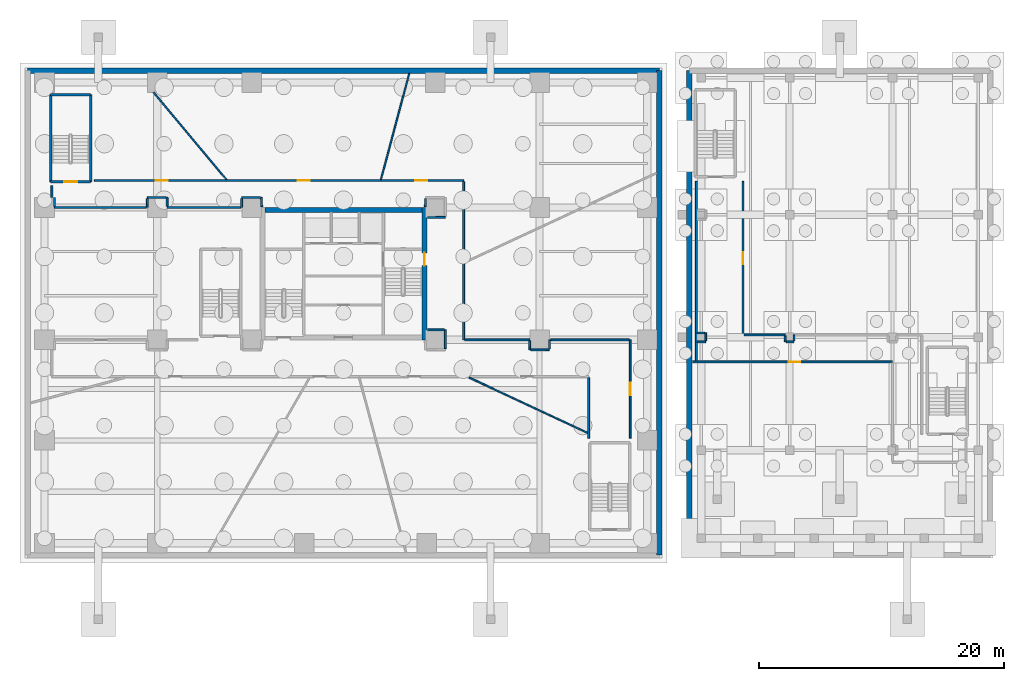
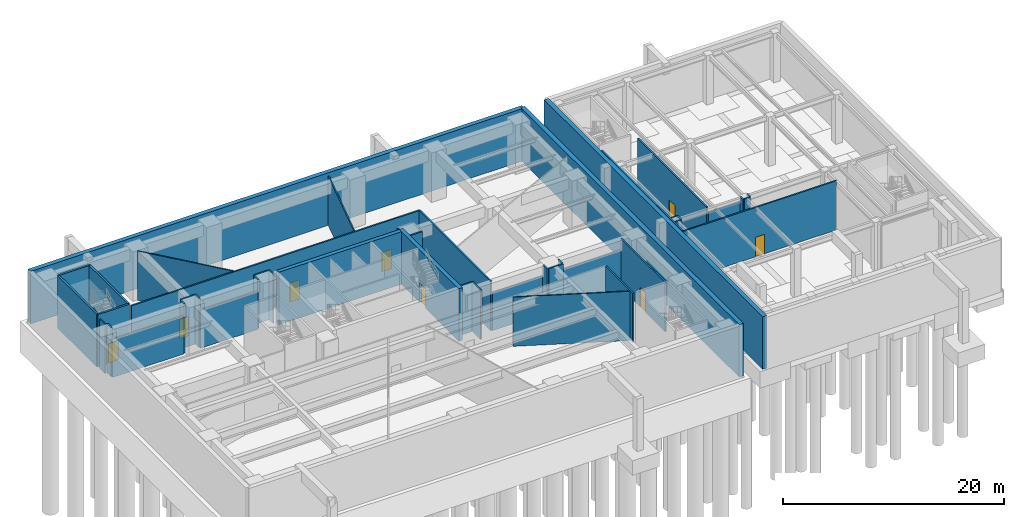
# One storey, part 6 of 15: 45 walls, 8 doors, 8 openings.
"""IFC4 building model written with IfcOpenShell, lengths in metres."""

from ifc_helpers import new_model, si_unit, direction, frame, frame_2d, origin, place, context, subcontext, project, spatial, rectangle, extrude, source, transform, mapped, material, layer, layer_set, type_object, type_shapes, element, fill, save


model = new_model("IFC4")

# Units and contexts
model_context = context("Model", 3, precision=1e-05, world=origin(), true_north=direction((0.0, 1.0)))
body_context = subcontext(model_context, "Body", "Model", "MODEL_VIEW")
ifc_project = project(units=[si_unit("LENGTHUNIT", "METRE"), si_unit("AREAUNIT", "SQUARE_METRE"), si_unit("VOLUMEUNIT", "CUBIC_METRE"), si_unit("PLANEANGLEUNIT", "RADIAN"), si_unit("MASSUNIT", "GRAM", prefix="KILO")], contexts=[model_context])

# Site, building, storey
site_placement = place(None, origin())
site = spatial("IfcSite", under=ifc_project, at=site_placement, CompositionType="ELEMENT")
building_placement = place(site_placement, origin())
building = spatial("IfcBuilding", under=site, at=building_placement, Name="Talar Marvaseh", CompositionType="ELEMENT")
storey_placement = place(building_placement, frame((0.0, 0.0, -11.60009765625)))
storey = spatial("IfcBuildingStorey", under=building, at=storey_placement, Name="B02", CompositionType="ELEMENT", Elevation=-11.60009765625)

# Walls
ifc_material_1 = material(Name="Concrete C50/60", Category="concrete")
ifc_layer_1 = layer(ifc_material_1, 0.449951171875)
ifc_layer_set_1 = layer_set([ifc_layer_1], Name="Concrete C50/60")
wall_type_1 = type_object("IfcWallType", Name="Basement Perimeter Waterproof Retaining Wall 450", PredefinedType="SHEAR", material=ifc_layer_set_1)
wall_1_placement = place(storey_placement, frame((0.22509765625, 47.77490234375, 0.0), z_axis=(0.0, 0.0, 1.0), x_axis=(1.0, 0.0, 0.0)))
element("IfcWall", 1, at=wall_1_placement, inside=storey, type_object=wall_type_1, Name="B02 Basement Retaining Wall", PredefinedType="SHEAR", context=body_context, shape_type="SweptSolid", body=[
    extrude(rectangle(XDim=51.5498046875, YDim=0.449951171875, at=frame_2d((25.77490234375, 0.0))), origin(), (0.0, 0.0, 1.0), 5.800048828125),
])
for number, where, z_axis, x_axis, name in (
    (2, (51.77490234375, 47.77490234375, 0.0), (0.0, 0.0, 1.0), (0.0, -1.0, 0.0), "B02 Basement Retaining Wall"),
    (3, (54.22509765625, 8.22509765625, 0.0), (0.0, 0.0, 1.0), (0.0, 1.0, 0.0), "B02 Basement Retaining Wall"),
):
    element("IfcWall", number, at=place(storey_placement, frame(where, z_axis=z_axis, x_axis=x_axis)), inside=storey, type_object=wall_type_1, Name=name, PredefinedType="SHEAR", context=body_context, shape_type="SweptSolid", body=[
        extrude(rectangle(XDim=39.5498046875, YDim=0.449951171875, at=frame_2d((19.77490234375, 0.0))), origin(), (0.0, 0.0, 1.0), 5.800048828125),
    ])

# Wall, openings, doors
ifc_material_2 = material(Name="Gypsum Board Partition Assembly")
ifc_layer_2 = layer(ifc_material_2, 0.155029296875)
ifc_layer_set_2 = layer_set([ifc_layer_2], Name="Gypsum Board Partition Assembly")
wall_type_2 = type_object("IfcWallType", Name="Corridor Fire-Rated Acoustic Partition 155", PredefinedType="PARTITIONING", material=ifc_layer_set_2)
wall_2_placement = place(storey_placement, frame((5.669921875, 38.800048828125, 0.0), z_axis=(0.0, 0.0, 1.0), x_axis=(1.0, 0.0, 0.0)))
wall_2 = element("IfcWall", 4, at=wall_2_placement, inside=storey, type_object=wall_type_2, Name="B02 Interior Partition Wall", PredefinedType="PARTITIONING", context=body_context, shape_type="SweptSolid", body=[
    extrude(rectangle(XDim=30.130126953125, YDim=0.155029296875, at=frame_2d((15.06494140625, 0.0))), origin(), (0.0, 0.0, 1.0), 5.440185546875),
])
opening_1_placement = place(wall_2_placement, frame((26.174072265625, 0.0, 0.0)))
opening_1 = element("IfcOpeningElement", 5, at=opening_1_placement, cuts=wall_2, Name="Opening DR-RM100", PredefinedType="OPENING", context=body_context, shape_type="SweptSolid", body=[
    extrude(rectangle(XDim=1.0, YDim=2.14990234375, at=frame_2d((0.5, 1.074951171875))), frame((0.0, 0.08740234375, 0.0), z_axis=(0.0, -1.0, 0.0), x_axis=(1.0, 0.0, 0.0)), (0.0, 0.0, 1.0), 0.175048828125),
])
opening_2_placement = place(wall_2_placement, frame((16.583984375, 0.0, 0.0)))
opening_2 = element("IfcOpeningElement", 6, at=opening_2_placement, cuts=wall_2, Name="Opening DR-RM100", PredefinedType="OPENING", context=body_context, shape_type="SweptSolid", body=[
    extrude(rectangle(XDim=1.0, YDim=2.14990234375, at=frame_2d((0.5, 1.074951171875))), frame((0.0, 0.08740234375, 0.0), z_axis=(0.0, -1.0, 0.0), x_axis=(1.0, 0.0, 0.0)), (0.0, 0.0, 1.0), 0.175048828125),
])
opening_3_placement = place(wall_2_placement, frame((5.01904296875, 0.0, 0.0)))
opening_3 = element("IfcOpeningElement", 7, at=opening_3_placement, cuts=wall_2, Name="Opening DR-WC095", PredefinedType="OPENING", context=body_context, shape_type="SweptSolid", body=[
    extrude(rectangle(XDim=0.949951171875, YDim=2.14990234375, at=frame_2d((0.47509765625, 1.074951171875))), frame((0.0, 0.08740234375, 0.0), z_axis=(0.0, -1.0, 0.0), x_axis=(1.0, 0.0, 0.0)), (0.0, 0.0, 1.0), 0.175048828125),
])
ifc_material_3 = material(Name="Acoustic Engineered Oak Timber", Category="wood")
door_type_1 = type_object("IfcDoorType", Name="Washroom and Service Room Door 950x2150", OperationType="NOTDEFINED", PredefinedType="DOOR", material=ifc_material_3)
shared_shape_1 = source(origin(), body_context, "Body", "SweptSolid", [
    extrude(rectangle(XDim=0.949951171875, YDim=2.14990234375, at=frame_2d((0.47509765625, 1.074951171875))), frame((0.0, 0.02490234375, 0.0), z_axis=(0.0, -1.0, 0.0), x_axis=(1.0, 0.0, 0.0)), (0.0, 0.0, 1.0), 0.050048828125),
])
type_shapes(door_type_1, [shared_shape_1])
door_1_placement = place(opening_3_placement, origin())
door_1 = element("IfcDoor", 8, at=door_1_placement, inside=storey, type_object=door_type_1, Name="B02 Accessible WC Block Door", OperationType="SINGLE_SWING_RIGHT", OverallHeight=2.14990234375, OverallWidth=0.949951171875, PredefinedType="DOOR", context=body_context, shape_type="MappedRepresentation", body=[
    mapped(shared_shape_1, transform((0.0, 0.0, 0.0), x_axis=(1.0, 0.0, 0.0), y_axis=(0.0, 1.0, 0.0), z_axis=(0.0, 0.0, 1.0), scale=1.0)),
])
fill(opening_3, door_1)
door_type_2 = type_object("IfcDoorType", Name="Corridor Fire-Rated Gallery Door 1000x2150", OperationType="NOTDEFINED", PredefinedType="DOOR", material=ifc_material_3)
shared_shape_2 = source(origin(), body_context, "Body", "SweptSolid", [
    extrude(rectangle(XDim=1.0, YDim=2.14990234375, at=frame_2d((0.5, 1.074951171875))), frame((0.0, 0.02490234375, 0.0), z_axis=(0.0, -1.0, 0.0), x_axis=(1.0, 0.0, 0.0)), (0.0, 0.0, 1.0), 0.050048828125),
])
type_shapes(door_type_2, [shared_shape_2])
door_2_placement = place(opening_1_placement, origin())
door_2 = element("IfcDoor", 9, at=door_2_placement, inside=storey, type_object=door_type_2, Name="B02 Domestic and Fire Water Tank Room Door", OperationType="SINGLE_SWING_RIGHT", OverallHeight=2.14990234375, OverallWidth=1.0, PredefinedType="DOOR", context=body_context, shape_type="MappedRepresentation", body=[
    mapped(shared_shape_2, transform((0.0, 0.0, 0.0), x_axis=(1.0, 0.0, 0.0), y_axis=(0.0, 1.0, 0.0), z_axis=(0.0, 0.0, 1.0), scale=1.0)),
])
fill(opening_1, door_2)
door_3_placement = place(opening_2_placement, origin())
door_3 = element("IfcDoor", 10, at=door_3_placement, inside=storey, type_object=door_type_2, Name="B02 Station Operations Office Door", OperationType="SINGLE_SWING_LEFT", OverallHeight=2.14990234375, OverallWidth=1.0, PredefinedType="DOOR", context=body_context, shape_type="MappedRepresentation", body=[
    mapped(shared_shape_2, transform((0.0, 0.0, 0.0), x_axis=(1.0, 0.0, 0.0), y_axis=(0.0, 1.0, 0.0), z_axis=(0.0, 0.0, 1.0), scale=1.0)),
])
fill(opening_2, door_3)

# Wall, opening, door
wall_3_placement = place(storey_placement, frame((49.39990234375, 25.800048828125, 0.0), z_axis=(0.0, 0.0, 1.0), x_axis=(0.0, -1.0, 0.0)))
wall_3 = element("IfcWall", 11, at=wall_3_placement, inside=storey, type_object=wall_type_2, Name="B02 Interior Partition Wall", PredefinedType="PARTITIONING", context=body_context, shape_type="SweptSolid", body=[
    extrude(rectangle(XDim=8.030029296875, YDim=0.155029296875, at=frame_2d((4.01513671875, 0.0))), origin(), (0.0, 0.0, 1.0), 5.440185546875),
])
opening_4_placement = place(wall_3_placement, frame((3.514892578125, 0.0, 0.0)))
opening_4 = element("IfcOpeningElement", 12, at=opening_4_placement, cuts=wall_3, Name="Opening DR-RM100", PredefinedType="OPENING", context=body_context, shape_type="SweptSolid", body=[
    extrude(rectangle(XDim=1.0, YDim=2.14990234375, at=frame_2d((0.5, 1.074951171875))), frame((0.0, 0.08740234375, 0.0), z_axis=(0.0, -1.0, 0.0), x_axis=(1.0, 0.0, 0.0)), (0.0, 0.0, 1.0), 0.175048828125),
])
door_4_placement = place(opening_4_placement, origin())
door_4 = element("IfcDoor", 13, at=door_4_placement, inside=storey, type_object=door_type_2, Name="B02 District Cooling Heat Exchanger Plant Door", OperationType="SINGLE_SWING_LEFT", OverallHeight=2.14990234375, OverallWidth=1.0, PredefinedType="DOOR", context=body_context, shape_type="MappedRepresentation", body=[
    mapped(shared_shape_2, transform((0.0, 0.0, 0.0), x_axis=(1.0, 0.0, 0.0), y_axis=(0.0, 1.0, 0.0), z_axis=(0.0, 0.0, 1.0), scale=1.0)),
])
fill(opening_4, door_4)

wall_4_placement = place(storey_placement, frame((70.800048828125, 24.0, 0.0), z_axis=(0.0, 0.0, 1.0), x_axis=(-1.0, 0.0, 0.0)))
wall_4 = element("IfcWall", 14, at=wall_4_placement, inside=storey, type_object=wall_type_2, Name="B02 Interior Partition Wall", PredefinedType="PARTITIONING", context=body_context, shape_type="SweptSolid", body=[
    extrude(rectangle(XDim=16.31494140625, YDim=0.155029296875, at=frame_2d((8.157470703125, 0.0))), origin(), (0.0, 0.0, 1.0), 5.440185546875),
])
opening_5_placement = place(wall_4_placement, frame((7.52490234375, 0.0, 0.0)))
opening_5 = element("IfcOpeningElement", 15, at=opening_5_placement, cuts=wall_4, Name="Opening DR-WC095", PredefinedType="OPENING", context=body_context, shape_type="SweptSolid", body=[
    extrude(rectangle(XDim=0.949951171875, YDim=2.14990234375, at=frame_2d((0.47509765625, 1.074951171875))), frame((0.0, 0.08740234375, 0.0), z_axis=(0.0, -1.0, 0.0), x_axis=(1.0, 0.0, 0.0)), (0.0, 0.0, 1.0), 0.175048828125),
])
door_5_placement = place(opening_5_placement, origin())
door_5 = element("IfcDoor", 16, at=door_5_placement, inside=storey, type_object=door_type_1, Name="B02 WC Public Washrooms Door", OperationType="SINGLE_SWING_LEFT", OverallHeight=2.14990234375, OverallWidth=0.949951171875, PredefinedType="DOOR", context=body_context, shape_type="MappedRepresentation", body=[
    mapped(shared_shape_1, transform((0.0, 0.0, 0.0), x_axis=(1.0, 0.0, 0.0), y_axis=(0.0, 1.0, 0.0), z_axis=(0.0, 0.0, 1.0), scale=1.0)),
])
fill(opening_5, door_5)

wall_5_placement = place(storey_placement, frame((58.60009765625, 38.72998046875, 0.0), z_axis=(0.0, 0.0, 1.0), x_axis=(0.0, -1.0, 0.0)))
wall_5 = element("IfcWall", 17, at=wall_5_placement, inside=storey, type_object=wall_type_2, Name="B02 Interior Partition Wall", PredefinedType="PARTITIONING", context=body_context, shape_type="SweptSolid", body=[
    extrude(rectangle(XDim=12.530029296875, YDim=0.155029296875, at=frame_2d((6.26513671875, 0.0))), origin(), (0.0, 0.0, 1.0), 5.440185546875),
])
opening_6_placement = place(wall_5_placement, frame((5.764892578125, 0.0, 0.0)))
opening_6 = element("IfcOpeningElement", 18, at=opening_6_placement, cuts=wall_5, Name="Opening DR-RM100", PredefinedType="OPENING", context=body_context, shape_type="SweptSolid", body=[
    extrude(rectangle(XDim=1.0, YDim=2.14990234375, at=frame_2d((0.5, 1.074951171875))), frame((0.0, 0.08740234375, 0.0), z_axis=(0.0, -1.0, 0.0), x_axis=(1.0, 0.0, 0.0)), (0.0, 0.0, 1.0), 0.175048828125),
])
door_6_placement = place(opening_6_placement, origin())
door_6 = element("IfcDoor", 19, at=door_6_placement, inside=storey, type_object=door_type_2, Name="B02 Market Substructure Cold Storage Plant Door", OperationType="SINGLE_SWING_RIGHT", OverallHeight=2.14990234375, OverallWidth=1.0, PredefinedType="DOOR", context=body_context, shape_type="MappedRepresentation", body=[
    mapped(shared_shape_2, transform((0.0, 0.0, 0.0), x_axis=(1.0, 0.0, 0.0), y_axis=(0.0, 1.0, 0.0), z_axis=(0.0, 0.0, 1.0), scale=1.0)),
])
fill(opening_6, door_6)

# Walls
wall_6_placement = place(storey_placement, frame((34.314697265625, 25.08349609375, 0.0), z_axis=(0.0, 0.0, 1.0), x_axis=(-0.002717815702, 0.999996306732, 0.0)))
element("IfcWall", 20, at=wall_6_placement, inside=storey, type_object=wall_type_2, Name="B02 Interior Partition Wall", PredefinedType="PARTITIONING", context=body_context, shape_type="SweptSolid", body=[
    extrude(rectangle(XDim=1.527099609375, YDim=0.155029296875, at=frame_2d((0.763671875, 0.0))), origin(), (0.0, 0.0, 1.0), 5.440185546875),
])
wall_7_placement = place(storey_placement, frame((34.22705078125, 26.61083984375, 0.0), z_axis=(0.0, 0.0, 1.0), x_axis=(-0.999995856473, 0.002878721429, 0.0)))
element("IfcWall", 21, at=wall_7_placement, inside=storey, type_object=wall_type_2, Name="B02 Interior Partition Wall", PredefinedType="PARTITIONING", context=body_context, shape_type="SweptSolid", body=[
    extrude(rectangle(XDim=1.35693359375, YDim=0.155029296875, at=frame_2d((0.678466796875, 0.0))), origin(), (0.0, 0.0, 1.0), 5.440185546875),
])
wall_8_placement = place(storey_placement, frame((32.8701171875, 35.78515625, 0.0), z_axis=(0.0, 0.0, 1.0), x_axis=(0.99999584892, 0.002881343971, 0.0)))
element("IfcWall", 22, at=wall_8_placement, inside=storey, type_object=wall_type_2, Name="B02 Interior Partition Wall", PredefinedType="PARTITIONING", context=body_context, shape_type="SweptSolid", body=[
    extrude(rectangle(XDim=1.4404296875, YDim=0.155029296875, at=frame_2d((0.72021484375, 0.0))), origin(), (0.0, 0.0, 1.0), 5.440185546875),
])
wall_9_placement = place(storey_placement, frame((32.69189453125, 37.32958984375, 0.0), z_axis=(0.0, 0.0, 1.0), x_axis=(-0.010362137944, -0.999946311607, 0.0)))
element("IfcWall", 23, at=wall_9_placement, inside=storey, type_object=wall_type_2, Name="B02 Interior Partition Wall", PredefinedType="PARTITIONING", context=body_context, shape_type="SweptSolid", body=[
    extrude(rectangle(XDim=0.65966796875, YDim=0.155029296875, at=frame_2d((0.329833984375, 0.0))), origin(), (0.0, 0.0, 1.0), 5.440185546875),
])
wall_10_placement = place(storey_placement, frame((19.31494140625, 36.669921875, 0.0), z_axis=(0.0, 0.0, 1.0), x_axis=(-0.019982902894, 0.99980032186, 0.0)))
element("IfcWall", 24, at=wall_10_placement, inside=storey, type_object=wall_type_2, Name="B02 Interior Partition Wall", PredefinedType="PARTITIONING", context=body_context, shape_type="SweptSolid", body=[
    extrude(rectangle(XDim=0.745361328125, YDim=0.155029296875, at=frame_2d((0.37255859375, 0.0))), origin(), (0.0, 0.0, 1.0), 5.440185546875),
])
wall_11_placement = place(storey_placement, frame((19.216552734375, 37.414794921875, 0.0), z_axis=(0.0, 0.0, 1.0), x_axis=(-0.99999937099, -0.00112161442, 0.0)))
element("IfcWall", 25, at=wall_11_placement, inside=storey, type_object=wall_type_2, Name="B02 Interior Partition Wall", PredefinedType="PARTITIONING", context=body_context, shape_type="SweptSolid", body=[
    extrude(rectangle(XDim=1.523681640625, YDim=0.155029296875, at=frame_2d((0.76171875, 0.0))), origin(), (0.0, 0.0, 1.0), 5.440185546875),
])
wall_12_placement = place(storey_placement, frame((17.692138671875, 37.32958984375, 0.0), z_axis=(0.0, 0.0, 1.0), x_axis=(-0.009705031542, -0.999952905072, 0.0)))
element("IfcWall", 26, at=wall_12_placement, inside=storey, type_object=wall_type_2, Name="B02 Interior Partition Wall", PredefinedType="PARTITIONING", context=body_context, shape_type="SweptSolid", body=[
    extrude(rectangle(XDim=0.7294921875, YDim=0.155029296875, at=frame_2d((0.36474609375, 0.0))), origin(), (0.0, 0.0, 1.0), 5.440185546875),
])
wall_13_placement = place(storey_placement, frame((17.6015625, 36.60009765625, 0.0), z_axis=(0.0, 0.0, 1.0), x_axis=(-1.0, 0.0, 0.0)))
element("IfcWall", 27, at=wall_13_placement, inside=storey, type_object=wall_type_2, Name="B02 Interior Partition Wall", PredefinedType="PARTITIONING", context=body_context, shape_type="SweptSolid", body=[
    extrude(rectangle(XDim=5.986572265625, YDim=0.155029296875, at=frame_2d((2.9931640625, 0.0))), origin(), (0.0, 0.0, 1.0), 4.215087890625),
])
wall_14_placement = place(storey_placement, frame((11.613525390625, 36.68359375, 0.0), z_axis=(0.0, 0.0, 1.0), x_axis=(-0.01835471782, 0.999831537977, 0.0)))
element("IfcWall", 28, at=wall_14_placement, inside=storey, type_object=wall_type_2, Name="B02 Interior Partition Wall", PredefinedType="PARTITIONING", context=body_context, shape_type="SweptSolid", body=[
    extrude(rectangle(XDim=0.731689453125, YDim=0.155029296875, at=frame_2d((0.36572265625, 0.0))), origin(), (0.0, 0.0, 1.0), 5.440185546875),
])
wall_15_placement = place(storey_placement, frame((11.5166015625, 37.414794921875, 0.0), z_axis=(0.0, 0.0, 1.0), x_axis=(-0.99999937099, -0.00112161442, 0.0)))
element("IfcWall", 29, at=wall_15_placement, inside=storey, type_object=wall_type_2, Name="B02 Interior Partition Wall", PredefinedType="PARTITIONING", context=body_context, shape_type="SweptSolid", body=[
    extrude(rectangle(XDim=1.523681640625, YDim=0.155029296875, at=frame_2d((0.76171875, 0.0))), origin(), (0.0, 0.0, 1.0), 5.440185546875),
])
wall_16_placement = place(storey_placement, frame((9.9921875, 37.32958984375, 0.0), z_axis=(0.0, 0.0, 1.0), x_axis=(-0.009705031542, -0.999952905072, 0.0)))
element("IfcWall", 30, at=wall_16_placement, inside=storey, type_object=wall_type_2, Name="B02 Interior Partition Wall", PredefinedType="PARTITIONING", context=body_context, shape_type="SweptSolid", body=[
    extrude(rectangle(XDim=0.7294921875, YDim=0.155029296875, at=frame_2d((0.36474609375, 0.0))), origin(), (0.0, 0.0, 1.0), 5.440185546875),
])
wall_17_placement = place(storey_placement, frame((9.901611328125, 36.60009765625, 0.0), z_axis=(0.0, 0.0, 1.0), x_axis=(-1.0, 0.0, 0.0)))
element("IfcWall", 31, at=wall_17_placement, inside=storey, type_object=wall_type_2, Name="B02 Interior Partition Wall", PredefinedType="PARTITIONING", context=body_context, shape_type="SweptSolid", body=[
    extrude(rectangle(XDim=7.486572265625, YDim=0.155029296875, at=frame_2d((3.7431640625, 0.0))), origin(), (0.0, 0.0, 1.0), 4.215087890625),
])
wall_18_placement = place(storey_placement, frame((2.414794921875, 36.68359375, 0.0), z_axis=(0.0, 0.0, 1.0), x_axis=(-0.00067750662, 0.999999770492, 0.0)))
element("IfcWall", 32, at=wall_18_placement, inside=storey, type_object=wall_type_2, Name="B02 Interior Partition Wall", PredefinedType="PARTITIONING", context=body_context, shape_type="SweptSolid", body=[
    extrude(rectangle(XDim=0.720703125, YDim=0.155029296875, at=frame_2d((0.3603515625, 0.0))), origin(), (0.0, 0.0, 1.0), 5.440185546875),
])
wall_19_placement = place(storey_placement, frame((2.199951171875, 37.4150390625, 0.0), z_axis=(0.0, 0.0, 1.0), x_axis=(0.0, 1.0, 0.0)))
element("IfcWall", 33, at=wall_19_placement, inside=storey, type_object=wall_type_2, Name="B02 Interior Partition Wall", PredefinedType="PARTITIONING", context=body_context, shape_type="SweptSolid", body=[
    extrude(rectangle(XDim=0.96484375, YDim=0.155029296875, at=frame_2d((0.482421875, 0.0))), origin(), (0.0, 0.0, 1.0), 5.440185546875),
])
wall_20_placement = place(storey_placement, frame((35.800048828125, 38.716552734375, 0.0), z_axis=(0.0, 0.0, 1.0), x_axis=(0.0, -1.0, 0.0)))
element("IfcWall", 34, at=wall_20_placement, inside=storey, type_object=wall_type_2, Name="B02 Interior Partition Wall", PredefinedType="PARTITIONING", context=body_context, shape_type="SweptSolid", body=[
    extrude(rectangle(XDim=12.91650390625, YDim=0.155029296875, at=frame_2d((6.458251953125, 0.0))), origin(), (0.0, 0.0, 1.0), 5.440185546875),
])
wall_21_placement = place(storey_placement, frame((35.883544921875, 25.800048828125, 0.0), z_axis=(0.0, 0.0, 1.0), x_axis=(1.0, 0.0, 0.0)))
element("IfcWall", 35, at=wall_21_placement, inside=storey, type_object=wall_type_2, Name="B02 Interior Partition Wall", PredefinedType="PARTITIONING", context=body_context, shape_type="SweptSolid", body=[
    extrude(rectangle(XDim=5.301513671875, YDim=0.155029296875, at=frame_2d((2.65087890625, 0.0))), origin(), (0.0, 0.0, 1.0), 4.215087890625),
])
wall_22_placement = place(storey_placement, frame((41.1865234375, 25.716552734375, 0.0), z_axis=(0.0, 0.0, 1.0), x_axis=(0.01835471782, -0.999831537977, 0.0)))
element("IfcWall", 36, at=wall_22_placement, inside=storey, type_object=wall_type_2, Name="B02 Interior Partition Wall", PredefinedType="PARTITIONING", context=body_context, shape_type="SweptSolid", body=[
    extrude(rectangle(XDim=0.731689453125, YDim=0.155029296875, at=frame_2d((0.36572265625, 0.0))), origin(), (0.0, 0.0, 1.0), 5.440185546875),
])
wall_23_placement = place(storey_placement, frame((41.283447265625, 24.985107421875, 0.0), z_axis=(0.0, 0.0, 1.0), x_axis=(0.99999937099, 0.00112161442, 0.0)))
element("IfcWall", 37, at=wall_23_placement, inside=storey, type_object=wall_type_2, Name="B02 Interior Partition Wall", PredefinedType="PARTITIONING", context=body_context, shape_type="SweptSolid", body=[
    extrude(rectangle(XDim=1.523681640625, YDim=0.155029296875, at=frame_2d((0.76171875, 0.0))), origin(), (0.0, 0.0, 1.0), 5.440185546875),
])
wall_24_placement = place(storey_placement, frame((42.807861328125, 25.0703125, 0.0), z_axis=(0.0, 0.0, 1.0), x_axis=(0.009701784932, 0.999952936577, 0.0)))
element("IfcWall", 38, at=wall_24_placement, inside=storey, type_object=wall_type_2, Name="B02 Interior Partition Wall", PredefinedType="PARTITIONING", context=body_context, shape_type="SweptSolid", body=[
    extrude(rectangle(XDim=0.729736328125, YDim=0.155029296875, at=frame_2d((0.36474609375, 0.0))), origin(), (0.0, 0.0, 1.0), 5.440185546875),
])
wall_25_placement = place(storey_placement, frame((42.8984375, 25.800048828125, 0.0), z_axis=(0.0, 0.0, 1.0), x_axis=(1.0, 0.0, 0.0)))
element("IfcWall", 39, at=wall_25_placement, inside=storey, type_object=wall_type_2, Name="B02 Interior Partition Wall", PredefinedType="PARTITIONING", context=body_context, shape_type="SweptSolid", body=[
    extrude(rectangle(XDim=6.41796875, YDim=0.155029296875, at=frame_2d((3.208984375, 0.0))), origin(), (0.0, 0.0, 1.0), 4.215087890625),
])
wall_26_placement = place(storey_placement, frame((46.0, 17.77001953125, 0.0), z_axis=(0.0, 0.0, 1.0), x_axis=(0.0, 1.0, 0.0)))
element("IfcWall", 40, at=wall_26_placement, inside=storey, type_object=wall_type_2, Name="B02 Interior Partition Wall", PredefinedType="PARTITIONING", context=body_context, shape_type="SweptSolid", body=[
    extrude(rectangle(XDim=4.946533203125, YDim=0.155029296875, at=frame_2d((2.47314453125, 0.0))), origin(), (0.0, 0.0, 1.0), 5.440185546875),
])
wall_27_placement = place(storey_placement, frame((54.800048828125, 24.08349609375, 0.0), z_axis=(0.0, 0.0, 1.0), x_axis=(0.0, 1.0, 0.0)))
element("IfcWall", 41, at=wall_27_placement, inside=storey, type_object=wall_type_2, Name="B02 Interior Partition Wall", PredefinedType="PARTITIONING", context=body_context, shape_type="SweptSolid", body=[
    extrude(rectangle(XDim=14.646484375, YDim=0.155029296875, at=frame_2d((7.3232421875, 0.0))), origin(), (0.0, 0.0, 1.0), 5.440185546875),
])
wall_28_placement = place(storey_placement, frame((58.68359375, 26.199951171875, 0.0), z_axis=(0.0, 0.0, 1.0), x_axis=(1.0, 0.0, 0.0)))
element("IfcWall", 42, at=wall_28_placement, inside=storey, type_object=wall_type_2, Name="B02 Interior Partition Wall", PredefinedType="PARTITIONING", context=body_context, shape_type="SweptSolid", body=[
    extrude(rectangle(XDim=3.351318359375, YDim=0.155029296875, at=frame_2d((1.67578125, 0.0))), origin(), (0.0, 0.0, 1.0), 4.87109375),
])
wall_29_placement = place(storey_placement, frame((62.037109375, 26.116455078125, 0.0), z_axis=(0.0, 0.0, 1.0), x_axis=(0.026866566186, -0.999639028661, 0.0)))
element("IfcWall", 43, at=wall_29_placement, inside=storey, type_object=wall_type_2, Name="B02 Interior Partition Wall", PredefinedType="PARTITIONING", context=body_context, shape_type="SweptSolid", body=[
    extrude(rectangle(XDim=0.481689453125, YDim=0.155029296875, at=frame_2d((0.24072265625, 0.0))), origin(), (0.0, 0.0, 1.0), 5.440185546875),
])
wall_30_placement = place(storey_placement, frame((62.133544921875, 25.635498046875, 0.0), z_axis=(0.0, 0.0, 1.0), x_axis=(0.999989048104, 0.004680135951, 0.0)))
element("IfcWall", 44, at=wall_30_placement, inside=storey, type_object=wall_type_2, Name="B02 Interior Partition Wall", PredefinedType="PARTITIONING", context=body_context, shape_type="SweptSolid", body=[
    extrude(rectangle(XDim=0.6259765625, YDim=0.155029296875, at=frame_2d((0.31298828125, 0.0))), origin(), (0.0, 0.0, 1.0), 5.440185546875),
])
wall_31_placement = place(storey_placement, frame((62.76025390625, 25.721923828125, 0.0), z_axis=(0.0, 0.0, 1.0), x_axis=(0.009703322529, 0.999952921658, 0.0)))
element("IfcWall", 45, at=wall_31_placement, inside=storey, type_object=wall_type_2, Name="B02 Interior Partition Wall", PredefinedType="PARTITIONING", context=body_context, shape_type="SweptSolid", body=[
    extrude(rectangle(XDim=0.47802734375, YDim=0.155029296875, at=frame_2d((0.239013671875, 0.0))), origin(), (0.0, 0.0, 1.0), 5.440185546875),
])
wall_32_placement = place(storey_placement, frame((54.883544921875, 25.63525390625, 0.0), z_axis=(0.0, 0.0, 1.0), x_axis=(0.999981208742, 0.006130429336, 0.0)))
element("IfcWall", 46, at=wall_32_placement, inside=storey, type_object=wall_type_2, Name="B02 Interior Partition Wall", PredefinedType="PARTITIONING", context=body_context, shape_type="SweptSolid", body=[
    extrude(rectangle(XDim=0.677001953125, YDim=0.155029296875, at=frame_2d((0.33837890625, 0.0))), origin(), (0.0, 0.0, 1.0), 5.440185546875),
])
wall_33_placement = place(storey_placement, frame((55.560546875, 25.722900390625, 0.0), z_axis=(0.0, 0.0, 1.0), x_axis=(0.0, 1.0, 0.0)))
element("IfcWall", 47, at=wall_33_placement, inside=storey, type_object=wall_type_2, Name="B02 Interior Partition Wall", PredefinedType="PARTITIONING", context=body_context, shape_type="SweptSolid", body=[
    extrude(rectangle(XDim=0.6376953125, YDim=0.155029296875, at=frame_2d((0.31884765625, 0.0))), origin(), (0.0, 0.0, 1.0), 5.440185546875),
])
wall_34_placement = place(storey_placement, frame((55.47705078125, 26.360595703125, 0.0), z_axis=(0.0, 0.0, 1.0), x_axis=(-1.0, 0.0, 0.0)))
element("IfcWall", 48, at=wall_34_placement, inside=storey, type_object=wall_type_2, Name="B02 Interior Partition Wall", PredefinedType="PARTITIONING", context=body_context, shape_type="SweptSolid", body=[
    extrude(rectangle(XDim=0.593505859375, YDim=0.155029296875, at=frame_2d((0.296875, 0.0))), origin(), (0.0, 0.0, 1.0), 5.440185546875),
])
ifc_layer_3 = layer(ifc_material_2, 0.1201171875)
ifc_layer_set_3 = layer_set([ifc_layer_3], Name="Gypsum Board Partition Assembly")
wall_type_3 = type_object("IfcWallType", Name="Demountable Studio Room Partition 120", PredefinedType="PARTITIONING", material=ifc_layer_set_3)
wall_35_placement = place(storey_placement, frame((36.2587890625, 22.716552734375, 0.0), z_axis=(0.0, 0.0, 1.0), x_axis=(0.906160315146, -0.422934372277, 0.0)))
element("IfcWall", 49, at=wall_35_placement, inside=storey, type_object=wall_type_3, Name="B02 Interior Partition Wall", PredefinedType="PARTITIONING", context=body_context, shape_type="SweptSolid", body=[
    extrude(rectangle(XDim=10.657958984375, YDim=0.1201171875, at=frame_2d((5.3291015625, 0.0))), origin(), (0.0, 0.0, 1.0), 5.440185546875),
])
wall_36_placement = place(storey_placement, frame((29.046875, 38.86279296875, 0.0), z_axis=(0.0, 0.0, 1.0), x_axis=(0.258352017552, 0.966050844949, 0.0)))
element("IfcWall", 50, at=wall_36_placement, inside=storey, type_object=wall_type_3, Name="B02 Interior Partition Wall", PredefinedType="PARTITIONING", context=body_context, shape_type="SweptSolid", body=[
    extrude(rectangle(XDim=8.992431640625, YDim=0.1201171875, at=frame_2d((4.49609375, 0.0))), origin(), (0.0, 0.0, 1.0), 5.440185546875),
])
wall_37_placement = place(storey_placement, frame((16.449951171875, 38.883544921875, 0.0), z_axis=(0.0, 0.0, 1.0), x_axis=(-0.64259431657, 0.766206593754, 0.0)))
element("IfcWall", 51, at=wall_37_placement, inside=storey, type_object=wall_type_3, Name="B02 Interior Partition Wall", PredefinedType="PARTITIONING", context=body_context, shape_type="SweptSolid", body=[
    extrude(rectangle(XDim=9.27490234375, YDim=0.1201171875, at=frame_2d((4.637451171875, 0.0))), origin(), (0.0, 0.0, 1.0), 5.440185546875),
])

# Wall, opening, door
ifc_material_4 = material(Name="Concrete C70/85", Category="concrete")
ifc_layer_4 = layer(ifc_material_4, 0.39990234375)
ifc_layer_set_4 = layer_set([ifc_layer_4], Name="Concrete C70/85")
wall_type_4 = type_object("IfcWallType", Name="Lower Core Reinforced Concrete Shear Wall 400", PredefinedType="SHEAR", material=ifc_layer_set_4)
wall_38_placement = place(storey_placement, frame((32.60009765625, 36.60009765625, 0.0), z_axis=(0.0, 0.0, 1.0), x_axis=(0.0, -1.0, 0.0)))
wall_38 = element("IfcWall", 52, at=wall_38_placement, inside=storey, type_object=wall_type_4, Name="B02 East Core Shear Wall", PredefinedType="SHEAR", context=body_context, shape_type="SweptSolid", body=[
    extrude(rectangle(XDim=10.800048828125, YDim=0.39990234375, at=frame_2d((5.39990234375, 0.0))), origin(), (0.0, 0.0, 1.0), 5.800048828125),
])
opening_7_placement = place(wall_38_placement, frame((3.699951171875, 0.0, 0.0)))
opening_7 = element("IfcOpeningElement", 53, at=opening_7_placement, cuts=wall_38, Name="Opening DR-ST105", PredefinedType="OPENING", context=body_context, shape_type="SweptSolid", body=[
    extrude(rectangle(XDim=1.050048828125, YDim=2.14990234375, at=frame_2d((0.52490234375, 1.074951171875))), frame((0.0, 0.2099609375, 0.0), z_axis=(0.0, -1.0, 0.0), x_axis=(1.0, 0.0, 0.0)), (0.0, 0.0, 1.0), 0.419921875),
])
ifc_material_5 = material(Name="Fire-Rated Steel Door Leaf", Category="steel")
door_type_3 = type_object("IfcDoorType", Name="Protected Exit Stair Fire Door 1050x2150", OperationType="NOTDEFINED", PredefinedType="DOOR", material=ifc_material_5)
shared_shape_3 = source(origin(), body_context, "Body", "SweptSolid", [
    extrude(rectangle(XDim=1.050048828125, YDim=2.14990234375, at=frame_2d((0.52490234375, 1.074951171875))), frame((0.0, 0.02490234375, 0.0), z_axis=(0.0, -1.0, 0.0), x_axis=(1.0, 0.0, 0.0)), (0.0, 0.0, 1.0), 0.050048828125),
])
type_shapes(door_type_3, [shared_shape_3])
door_7_placement = place(opening_7_placement, origin())
door_7 = element("IfcDoor", 54, at=door_7_placement, inside=storey, type_object=door_type_3, Name="B02 Stair ST-2 Corridor Exit Door", OperationType="SINGLE_SWING_LEFT", OverallHeight=2.14990234375, OverallWidth=1.050048828125, PredefinedType="DOOR", context=body_context, shape_type="MappedRepresentation", body=[
    mapped(shared_shape_3, transform((0.0, 0.0, 0.0), x_axis=(1.0, 0.0, 0.0), y_axis=(0.0, 1.0, 0.0), z_axis=(0.0, 0.0, 1.0), scale=1.0)),
])
fill(opening_7, door_7)

# Wall
wall_39_placement = place(storey_placement, frame((19.60009765625, 36.39990234375, 0.0), z_axis=(0.0, 0.0, 1.0), x_axis=(1.0, 0.0, 0.0)))
element("IfcWall", 55, at=wall_39_placement, inside=storey, type_object=wall_type_4, Name="B02 North Core Shear Wall", PredefinedType="SHEAR", context=body_context, shape_type="SweptSolid", body=[
    extrude(rectangle(XDim=12.7998046875, YDim=0.39990234375, at=frame_2d((6.39990234375, 0.0))), origin(), (0.0, 0.0, 1.0), 5.800048828125),
])

# Wall, opening, door
ifc_layer_5 = layer(ifc_material_1, 0.199951171875)
ifc_layer_set_5 = layer_set([ifc_layer_5], Name="Concrete C50/60")
wall_type_5 = type_object("IfcWallType", Name="Stair Shaft Structural Concrete Shear Wall 200", PredefinedType="SHEAR", material=ifc_layer_set_5)
wall_40_placement = place(storey_placement, frame((5.360107421875, 38.699951171875, 0.0), z_axis=(0.0, 0.0, 1.0), x_axis=(-1.0, 0.0, 0.0)))
wall_40 = element("IfcWall", 56, at=wall_40_placement, inside=storey, type_object=wall_type_5, Name="B02 STN-ST1 South Shear Wall", PredefinedType="SHEAR", context=body_context, shape_type="SweptSolid", body=[
    extrude(rectangle(XDim=3.260009765625, YDim=0.199951171875, at=frame_2d((1.6298828125, 0.0))), origin(), (0.0, 0.0, 1.0), 5.800048828125),
])
opening_8_placement = place(wall_40_placement, frame((1.10009765625, 0.0, 0.0)))
opening_8 = element("IfcOpeningElement", 57, at=opening_8_placement, cuts=wall_40, Name="Opening DR-ST105", PredefinedType="OPENING", context=body_context, shape_type="SweptSolid", body=[
    extrude(rectangle(XDim=1.050048828125, YDim=2.14990234375, at=frame_2d((0.52490234375, 1.074951171875))), frame((0.0, 0.10986328125, 0.0), z_axis=(0.0, -1.0, 0.0), x_axis=(1.0, 0.0, 0.0)), (0.0, 0.0, 1.0), 0.219970703125),
])
door_8_placement = place(opening_8_placement, origin())
door_8 = element("IfcDoor", 58, at=door_8_placement, inside=storey, type_object=door_type_3, Name="B02 STN-ST1 Exit Door", OperationType="SINGLE_SWING_RIGHT", OverallHeight=2.14990234375, OverallWidth=1.050048828125, PredefinedType="DOOR", context=body_context, shape_type="MappedRepresentation", body=[
    mapped(shared_shape_3, transform((0.0, 0.0, 0.0), x_axis=(1.0, 0.0, 0.0), y_axis=(0.0, 1.0, 0.0), z_axis=(0.0, 0.0, 1.0), scale=1.0)),
])
fill(opening_8, door_8)

# Walls
wall_41_placement = place(storey_placement, frame((2.10009765625, 45.800048828125, 0.0), z_axis=(0.0, 0.0, 1.0), x_axis=(1.0, 0.0, 0.0)))
element("IfcWall", 59, at=wall_41_placement, inside=storey, type_object=wall_type_5, Name="B02 STN-ST1 North Shear Wall", PredefinedType="SHEAR", context=body_context, shape_type="SweptSolid", body=[
    extrude(rectangle(XDim=3.260009765625, YDim=0.199951171875, at=frame_2d((1.6298828125, 0.0))), origin(), (0.0, 0.0, 1.0), 5.800048828125),
])
for number, where, z_axis, x_axis, name in (
    (60, (2.10009765625, 38.699951171875, 0.0), (0.0, 0.0, 1.0), (0.0, 1.0, 0.0), "B02 STN-ST1 West Shear Wall"),
    (61, (5.360107421875, 38.699951171875, 0.0), (0.0, 0.0, 1.0), (0.0, 1.0, 0.0), "B02 STN-ST1 East Shear Wall"),
):
    element("IfcWall", number, at=place(storey_placement, frame(where, z_axis=z_axis, x_axis=x_axis)), inside=storey, type_object=wall_type_5, Name=name, PredefinedType="SHEAR", context=body_context, shape_type="SweptSolid", body=[
        extrude(rectangle(XDim=7.10009765625, YDim=0.199951171875, at=frame_2d((3.550048828125, 0.0))), origin(), (0.0, 0.0, 1.0), 5.800048828125),
    ])

save(model, "model.ifc")
